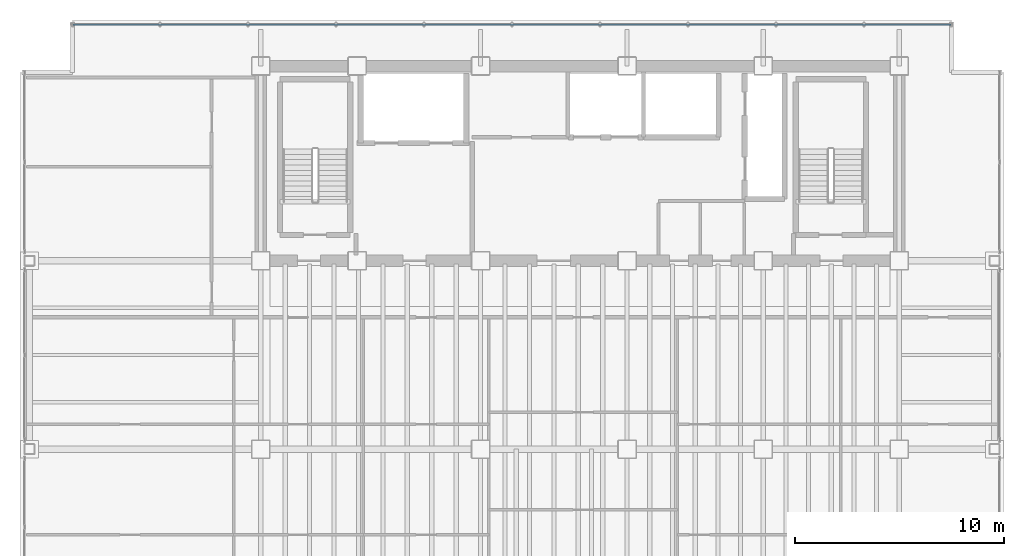
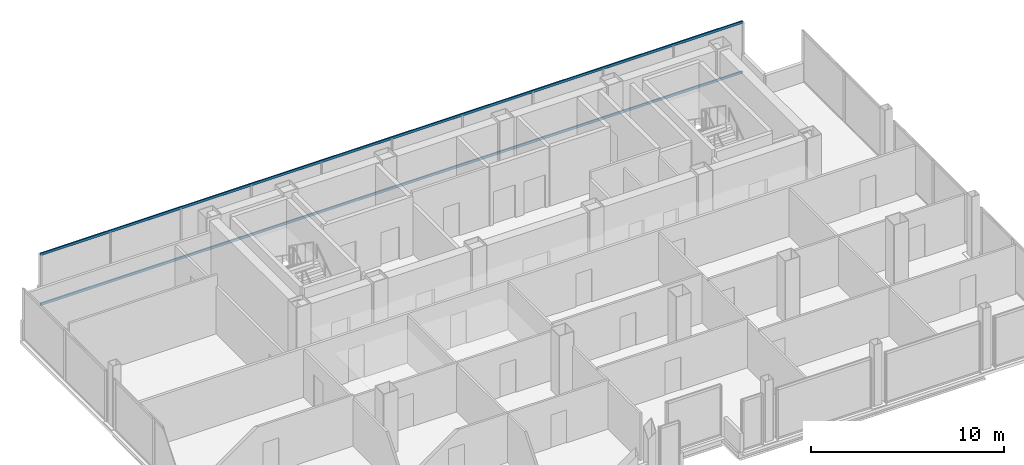
# One storey, part 11 of 22: 2 members, 1 element without a shape of its own.
"""IFC4 building model written with IfcOpenShell, lengths in metres."""

from ifc_helpers import new_model, si_unit, direction, frame, origin, origin_2d, place, context, subcontext, project, spatial, hollow_rectangle, extrude, material, material_profile, profile_set, type_object, element, aggregate, save


model = new_model("IFC4")

# Units and contexts
model_context = context("Model", 3, precision=1e-05, world=origin(), true_north=direction((0.0, 1.0)))
body_context = subcontext(model_context, "Body", "Model", "MODEL_VIEW")
ifc_project = project(units=[si_unit("LENGTHUNIT", "METRE"), si_unit("AREAUNIT", "SQUARE_METRE"), si_unit("VOLUMEUNIT", "CUBIC_METRE"), si_unit("PLANEANGLEUNIT", "RADIAN"), si_unit("MASSUNIT", "GRAM", prefix="KILO")], contexts=[model_context])

# Site, building, storey
site_placement = place(None, origin())
site = spatial("IfcSite", under=ifc_project, at=site_placement, CompositionType="ELEMENT")
building_placement = place(site_placement, origin())
building = spatial("IfcBuilding", under=site, at=building_placement, Name="Noeulbin Bourse Tower", CompositionType="ELEMENT")
storey_placement = place(building_placement, frame((0.0, 0.0, 130.5)))
storey = spatial("IfcBuildingStorey", under=building, at=storey_placement, Name="L32", CompositionType="ELEMENT", Elevation=130.5)

# Curtain wall, members
ifc_material_1 = material(Name="Dark Tinted Triple Glazing", Category="glass")
curtain_wall_type = type_object("IfcCurtainWallType", Name="CW-SYS-3", PredefinedType="NOTDEFINED", material=ifc_material_1)
curtain_wall_placement = place(storey_placement, origin())
curtain_wall = element("IfcCurtainWall", 1, at=curtain_wall_placement, inside=storey, type_object=curtain_wall_type, Name="Unitised Curtain Wall CW-L32-N", PredefinedType="NOTDEFINED")
ifc_material_2 = material(Name="Anodised Aluminium 6063-T6", Category="aluminium")
ifc_material_profile = material_profile(ifc_material_2, hollow_rectangle(XDim=0.074951171875, YDim=0.159912109375, WallThickness=0.0048828125, InnerFilletRadius=0.00244140625, OuterFilletRadius=0.0048828125, at=origin_2d()), Name="ALU-TRAN-75x160x5", Category="LoadBearing")
ifc_profile_set = profile_set([ifc_material_profile], Name="Anodised Aluminium 6063-T6")
member_type = type_object("IfcMemberType", Name="CW-SYS-3-TRN", PredefinedType="USERDEFINED", material=ifc_profile_set)
member_1_placement = place(storey_placement, frame((4.530029296875, 40.280029296875, 0.010009765625), z_axis=(1.0, 0.0, 0.0), x_axis=(0.0, 1.0, 0.0)))
member_1 = element("IfcMember", 2, at=member_1_placement, type_object=member_type, Name="Curtain Wall Transom CW-L32-N-T00", ObjectType="TRANSOM", PredefinedType="USERDEFINED", context=body_context, shape_type="SweptSolid", body=[
    extrude(hollow_rectangle(XDim=0.074951171875, YDim=0.159912109375, WallThickness=0.0048828125, InnerFilletRadius=0.00244140625, OuterFilletRadius=0.0048828125, at=origin_2d()), origin(), (0.0, 0.0, 1.0), 41.93994140625),
])
member_2_placement = place(storey_placement, frame((4.530029296875, 40.280029296875, 3.169921875), z_axis=(1.0, 0.0, 0.0), x_axis=(0.0, 1.0, 0.0)))
member_2 = element("IfcMember", 3, at=member_2_placement, type_object=member_type, Name="Curtain Wall Transom CW-L32-N-T01", ObjectType="TRANSOM", PredefinedType="USERDEFINED", context=body_context, shape_type="SweptSolid", body=[
    extrude(hollow_rectangle(XDim=0.074951171875, YDim=0.159912109375, WallThickness=0.0048828125, InnerFilletRadius=0.00244140625, OuterFilletRadius=0.0048828125, at=origin_2d()), origin(), (0.0, 0.0, 1.0), 41.93994140625),
])
aggregate(curtain_wall, [member_1, member_2])

save(model, "model.ifc")
